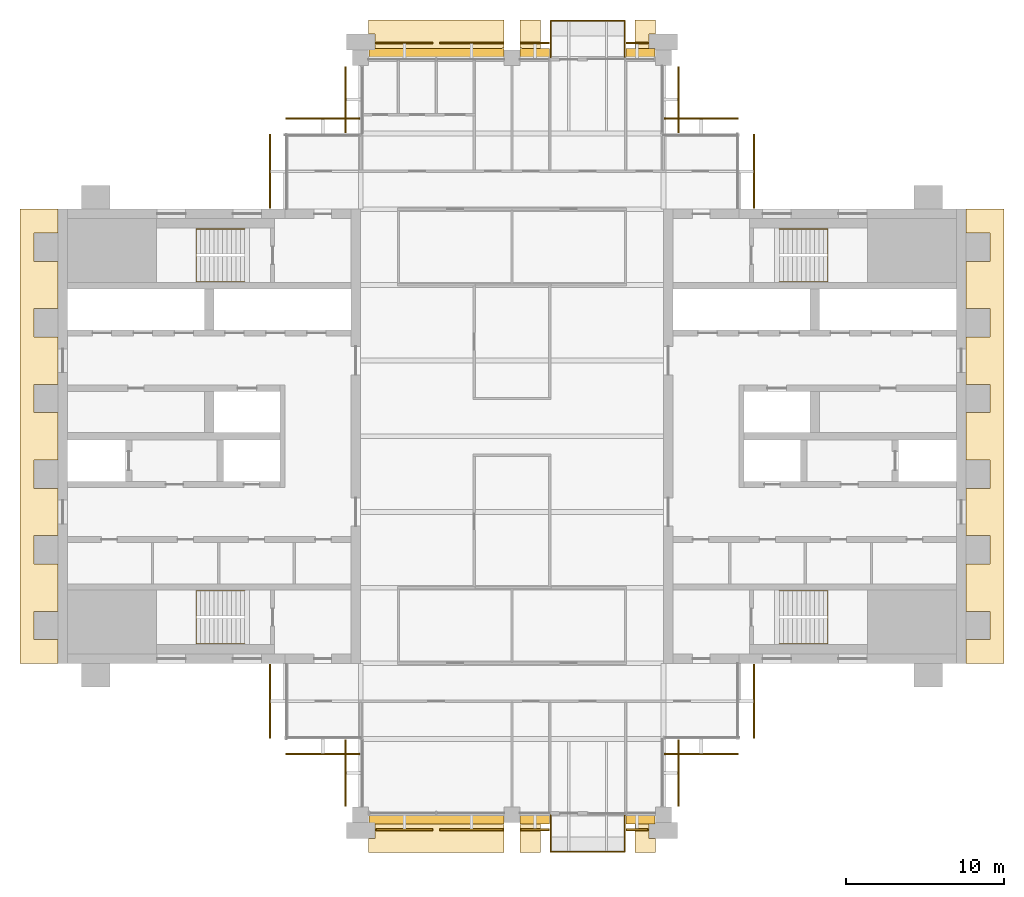
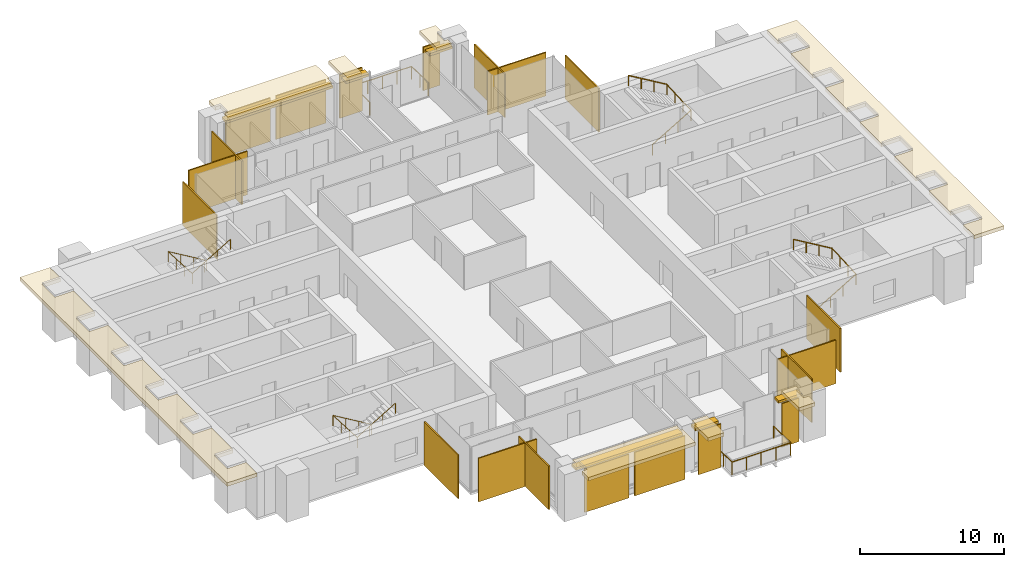
# One storey, part 13 of 13: 28 coverings, 6 railings, 6 shading devices.
"""IFC4 building model written with IfcOpenShell, lengths in metres."""

from ifc_helpers import new_model, si_unit, direction, frame, origin, origin_2d, place, context, subcontext, project, spatial, polyline, rectangle, circle, outline, extrude, material, layer, layer_set, type_object, element, save


model = new_model("IFC4")

# Units and contexts
model_context = context("Model", 3, precision=1e-05, world=origin(), true_north=direction((0.0, 1.0)))
body_context = subcontext(model_context, "Body", "Model", "MODEL_VIEW")
ifc_project = project(units=[si_unit("LENGTHUNIT", "METRE"), si_unit("AREAUNIT", "SQUARE_METRE"), si_unit("VOLUMEUNIT", "CUBIC_METRE"), si_unit("PLANEANGLEUNIT", "RADIAN"), si_unit("MASSUNIT", "GRAM", prefix="KILO")], contexts=[model_context])

# Site, building, storey
site_placement = place(None, origin())
site = spatial("IfcSite", under=ifc_project, at=site_placement, CompositionType="ELEMENT")
building_placement = place(site_placement, origin())
building = spatial("IfcBuilding", under=site, at=building_placement, Name="Baori Bourse Tower", CompositionType="ELEMENT")
storey_placement = place(building_placement, frame((0.0, 0.0, 302.300048828125)))
storey = spatial("IfcBuildingStorey", under=building, at=storey_placement, Name="L66", CompositionType="ELEMENT", Elevation=302.300048828125)

# Coverings
ifc_material_1 = material(Name="Pale anodised aluminium", Category="aluminium")
covering_type_1 = type_object("IfcCoveringType", Name="BD1 Pale metal band", PredefinedType="CLADDING", material=ifc_material_1)
covering_1_placement = place(storey_placement, frame((0.0, 0.0, 3.5400390625)))
element("IfcCovering", 1, at=covering_1_placement, inside=storey, type_object=covering_type_1, Name="Pale projecting band L66 1", PredefinedType="CLADDING", context=body_context, shape_type="SweptSolid", body=[
    extrude(outline(polyline([(57.60009765625, 11.10009765625), (57.60009765625, 9.60009765625), (60.0, 9.60009765625), (60.0, 38.39990234375), (57.60009765625, 38.39990234375), (57.60009765625, 36.89990234375), (59.10009765625, 36.89990234375), (59.10009765625, 35.10009765625), (57.60009765625, 35.10009765625), (57.60009765625, 32.10009765625), (59.10009765625, 32.10009765625), (59.10009765625, 30.300048828125), (57.60009765625, 30.300048828125), (57.60009765625, 27.300048828125), (59.10009765625, 27.300048828125), (59.10009765625, 25.5), (57.60009765625, 25.5), (57.60009765625, 22.5), (59.10009765625, 22.5), (59.10009765625, 20.699951171875), (57.60009765625, 20.699951171875), (57.60009765625, 17.699951171875), (59.10009765625, 17.699951171875), (59.10009765625, 15.89990234375), (57.60009765625, 15.89990234375), (57.60009765625, 12.89990234375), (59.10009765625, 12.89990234375), (59.10009765625, 11.10009765625), (57.60009765625, 11.10009765625)])), origin(), (0.0, 0.0, 1.0), 0.2998046875),
])
covering_2_placement = place(storey_placement, frame((0.0, 0.0, 3.5400390625)))
element("IfcCovering", 2, at=covering_2_placement, inside=storey, type_object=covering_type_1, Name="Pale projecting band L66 2", PredefinedType="CLADDING", context=body_context, shape_type="SweptSolid", body=[
    extrude(outline(polyline([(36.60009765625, 48.0), (37.780029296875, 48.0), (37.780029296875, 48.5), (37.5, 48.5), (37.5, 49.5), (37.89990234375, 49.5), (37.89990234375, 50.39990234375), (36.60009765625, 50.39990234375), (36.60009765625, 48.0)])), origin(), (0.0, 0.0, 1.0), 0.2998046875),
])
covering_3_placement = place(storey_placement, frame((0.0, 0.0, 3.5400390625)))
element("IfcCovering", 3, at=covering_3_placement, inside=storey, type_object=covering_type_1, Name="Pale projecting band L66 3", PredefinedType="CLADDING", context=body_context, shape_type="SweptSolid", body=[
    extrude(outline(polyline([(29.419921875, 48.0), (30.60009765625, 48.0), (30.60009765625, 50.39990234375), (29.300048828125, 50.39990234375), (29.300048828125, 48.6201171875), (29.419921875, 48.6201171875), (29.419921875, 48.0)])), origin(), (0.0, 0.0, 1.0), 0.2998046875),
])
covering_4_placement = place(storey_placement, frame((0.0, 0.0, 3.5400390625)))
element("IfcCovering", 4, at=covering_4_placement, inside=storey, type_object=covering_type_1, Name="Pale projecting band L66 4", PredefinedType="CLADDING", context=body_context, shape_type="SweptSolid", body=[
    extrude(outline(polyline([(19.820068359375, 48.0), (28.179931640625, 48.0), (28.179931640625, 48.6201171875), (28.300048828125, 48.6201171875), (28.300048828125, 50.39990234375), (19.699951171875, 50.39990234375), (19.699951171875, 49.5), (20.10009765625, 49.5), (20.10009765625, 48.5), (19.820068359375, 48.5), (19.820068359375, 48.0)])), origin(), (0.0, 0.0, 1.0), 0.2998046875),
])
covering_5_placement = place(storey_placement, frame((0.0, 0.0, 3.5400390625)))
element("IfcCovering", 5, at=covering_5_placement, inside=storey, type_object=covering_type_1, Name="Pale projecting band L66 5", PredefinedType="CLADDING", context=body_context, shape_type="SweptSolid", body=[
    extrude(outline(polyline([(0.0, 36.89990234375), (0.0, 38.39990234375), (-2.39990234375, 38.39990234375), (-2.39990234375, 9.60009765625), (0.0, 9.60009765625), (0.0, 11.10009765625), (-1.5, 11.10009765625), (-1.5, 12.89990234375), (0.0, 12.89990234375), (0.0, 15.89990234375), (-1.5, 15.89990234375), (-1.5, 17.699951171875), (0.0, 17.699951171875), (0.0, 20.699951171875), (-1.5, 20.699951171875), (-1.5, 22.5), (0.0, 22.5), (0.0, 25.5), (-1.5, 25.5), (-1.5, 27.300048828125), (0.0, 27.300048828125), (0.0, 30.300048828125), (-1.5, 30.300048828125), (-1.5, 32.10009765625), (0.0, 32.10009765625), (0.0, 35.10009765625), (-1.5, 35.10009765625), (-1.5, 36.89990234375), (0.0, 36.89990234375)])), origin(), (0.0, 0.0, 1.0), 0.2998046875),
])
covering_6_placement = place(storey_placement, frame((0.0, 0.0, 3.5400390625)))
element("IfcCovering", 6, at=covering_6_placement, inside=storey, type_object=covering_type_1, Name="Pale projecting band L66 6", PredefinedType="CLADDING", context=body_context, shape_type="SweptSolid", body=[
    extrude(outline(polyline([(28.179931640625, 0.0), (19.820068359375, 0.0), (19.820068359375, -0.5), (20.10009765625, -0.5), (20.10009765625, -1.5), (19.699951171875, -1.5), (19.699951171875, -2.39990234375), (28.300048828125, -2.39990234375), (28.300048828125, -0.6201171875), (28.179931640625, -0.6201171875), (28.179931640625, 0.0)])), origin(), (0.0, 0.0, 1.0), 0.2998046875),
])
covering_7_placement = place(storey_placement, frame((0.0, 0.0, 3.5400390625)))
element("IfcCovering", 7, at=covering_7_placement, inside=storey, type_object=covering_type_1, Name="Pale projecting band L66 7", PredefinedType="CLADDING", context=body_context, shape_type="SweptSolid", body=[
    extrude(outline(polyline([(30.60009765625, 0.0), (29.419921875, 0.0), (29.419921875, -0.6201171875), (29.300048828125, -0.6201171875), (29.300048828125, -2.39990234375), (30.60009765625, -2.39990234375), (30.60009765625, 0.0)])), origin(), (0.0, 0.0, 1.0), 0.2998046875),
])
covering_8_placement = place(storey_placement, frame((0.0, 0.0, 3.5400390625)))
element("IfcCovering", 8, at=covering_8_placement, inside=storey, type_object=covering_type_1, Name="Pale projecting band L66 8", PredefinedType="CLADDING", context=body_context, shape_type="SweptSolid", body=[
    extrude(outline(polyline([(37.780029296875, 0.0), (36.60009765625, 0.0), (36.60009765625, -2.39990234375), (37.89990234375, -2.39990234375), (37.89990234375, -1.5), (37.5, -1.5), (37.5, -0.5), (37.780029296875, -0.5), (37.780029296875, 0.0)])), origin(), (0.0, 0.0, 1.0), 0.2998046875),
])

# Shading devices
ifc_material_2 = material(Name="Concrete f'c 40 MPa", Category="concrete")
ifc_layer_1 = layer(ifc_material_2, 0.199951171875)
ifc_layer_set_1 = layer_set([ifc_layer_1], Name="BS1 Brise-soleil ledge")
shading_device_type = type_object("IfcShadingDeviceType", Name="BS1 Brise-soleil ledge", PredefinedType="USERDEFINED", material=ifc_layer_set_1)
for number, where, z_axis, x_axis, name in (
    (9, (36.949951171875, 48.300048828125, 3.33984375), (0.0, 0.0, 1.0), (-1.0, 0.0, 0.0), "Brise-soleil ledge L66 1"),
    (10, (30.25, 48.300048828125, 3.33984375), (0.0, 0.0, 1.0), (-1.0, 0.0, 0.0), "Brise-soleil ledge L66 2"),
):
    element("IfcShadingDevice", number, at=place(storey_placement, frame(where, z_axis=z_axis, x_axis=x_axis)), inside=storey, type_object=shading_device_type, Name=name, ObjectType="BRISE SOLEIL", PredefinedType="USERDEFINED", context=body_context, shape_type="SweptSolid", body=[
        extrude(rectangle(XDim=1.860107421875, YDim=0.60009765625, at=origin_2d()), origin(), (0.0, 0.0, 1.0), 0.199951171875),
    ])
for number, where, z_axis, x_axis, name in (
    (11, (24.0, 48.300048828125, 3.33984375), (0.0, 0.0, 1.0), (-1.0, 0.0, 0.0), "Brise-soleil ledge L66 3"),
    (12, (24.0, -0.300048828125, 3.33984375), (0.0, 0.0, 1.0), (1.0, 0.0, 0.0), "Brise-soleil ledge L66 4"),
):
    element("IfcShadingDevice", number, at=place(storey_placement, frame(where, z_axis=z_axis, x_axis=x_axis)), inside=storey, type_object=shading_device_type, Name=name, ObjectType="BRISE SOLEIL", PredefinedType="USERDEFINED", context=body_context, shape_type="SweptSolid", body=[
        extrude(rectangle(XDim=8.56005859375, YDim=0.60009765625, at=origin_2d()), origin(), (0.0, 0.0, 1.0), 0.199951171875),
    ])
for number, where, z_axis, x_axis, name in (
    (13, (30.25, -0.300048828125, 3.33984375), (0.0, 0.0, 1.0), (1.0, 0.0, 0.0), "Brise-soleil ledge L66 5"),
    (14, (36.949951171875, -0.300048828125, 3.33984375), (0.0, 0.0, 1.0), (1.0, 0.0, 0.0), "Brise-soleil ledge L66 6"),
):
    element("IfcShadingDevice", number, at=place(storey_placement, frame(where, z_axis=z_axis, x_axis=x_axis)), inside=storey, type_object=shading_device_type, Name=name, ObjectType="BRISE SOLEIL", PredefinedType="USERDEFINED", context=body_context, shape_type="SweptSolid", body=[
        extrude(rectangle(XDim=1.860107421875, YDim=0.60009765625, at=origin_2d()), origin(), (0.0, 0.0, 1.0), 0.199951171875),
    ])

# Railings
ifc_material_3 = material(Name="Powder-coated steel balustrade", Category="steel")
railing_type_1 = type_object("IfcRailingType", Name="Core stair handrail", PredefinedType="HANDRAIL", material=ifc_material_3)
railing_1_placement = place(storey_placement, frame((11.85009765625, 14.199951171875, 0.16650390625)))
element("IfcRailing", 15, at=railing_1_placement, inside=storey, type_object=railing_type_1, Name="L66 ST1 stair handrail 1", PredefinedType="HANDRAIL", context=body_context, shape_type="SweptSolid", body=[
    extrude(circle(Radius=0.02392578125, at=origin_2d()), frame((0.0, 0.0, 0.8759765625), z_axis=(-0.85927862911, 0.0, 0.511507807912), x_axis=(0.0, -1.0, 0.0)), (0.0, 0.0, 1.0), 3.58447265625),
    extrude(circle(Radius=0.02392578125, at=origin_2d()), frame((-3.080078125, 0.0, 2.70947265625), z_axis=(0.0, -0.998766999029, 0.049643545903), x_axis=(1.0, 0.0, 0.0)), (0.0, 0.0, 1.0), 3.35400390625),
    extrude(circle(Radius=0.02392578125, at=origin_2d()), frame((-3.080078125, -3.349853515625, 2.8759765625), z_axis=(0.85927862911, 0.0, 0.511507807912), x_axis=(0.0, 1.0, 0.0)), (0.0, 0.0, 1.0), 3.58447265625),
    extrude(circle(Radius=0.02099609375, at=origin_2d()), origin(), (0.0, 0.0, 1.0), 0.851806640625),
    extrude(circle(Radius=0.02099609375, at=origin_2d()), frame((-1.026611328125, 0.0, 0.611083984375)), (0.0, 0.0, 1.0), 0.851806640625),
    extrude(circle(Radius=0.02099609375, at=origin_2d()), frame((-2.053466796875, 0.0, 1.222412109375)), (0.0, 0.0, 1.0), 0.851806640625),
    extrude(circle(Radius=0.02099609375, at=origin_2d()), frame((-3.080078125, 0.0, 1.83349609375)), (0.0, 0.0, 1.0), 0.851806640625),
    extrude(circle(Radius=0.02099609375, at=origin_2d()), frame((-3.080078125, -1.11669921875, 1.888916015625)), (0.0, 0.0, 1.0), 0.851806640625),
    extrude(circle(Radius=0.02099609375, at=origin_2d()), frame((-3.080078125, -2.233154296875, 1.944580078125)), (0.0, 0.0, 1.0), 0.851806640625),
    extrude(circle(Radius=0.02099609375, at=origin_2d()), frame((-3.080078125, -3.349853515625, 2.0)), (0.0, 0.0, 1.0), 0.851806640625),
    extrude(circle(Radius=0.02099609375, at=origin_2d()), frame((-2.053466796875, -3.349853515625, 2.611083984375)), (0.0, 0.0, 1.0), 0.851806640625),
    extrude(circle(Radius=0.02099609375, at=origin_2d()), frame((-1.026611328125, -3.349853515625, 3.222412109375)), (0.0, 0.0, 1.0), 0.851806640625),
    extrude(circle(Radius=0.02099609375, at=origin_2d()), frame((0.0, -3.349853515625, 3.83349609375)), (0.0, 0.0, 1.0), 0.851806640625),
])
railing_2_placement = place(storey_placement, frame((11.85009765625, 37.14990234375, 0.16650390625)))
element("IfcRailing", 16, at=railing_2_placement, inside=storey, type_object=railing_type_1, Name="L66 ST2 stair handrail 1", PredefinedType="HANDRAIL", context=body_context, shape_type="SweptSolid", body=[
    extrude(circle(Radius=0.02392578125, at=origin_2d()), frame((0.0, 0.0, 0.8759765625), z_axis=(-0.85927862911, 0.0, 0.511507807912), x_axis=(0.0, -1.0, 0.0)), (0.0, 0.0, 1.0), 3.58447265625),
    extrude(circle(Radius=0.02392578125, at=origin_2d()), frame((-3.080078125, 0.0, 2.70947265625), z_axis=(0.0, -0.998766999029, 0.049643545903), x_axis=(1.0, 0.0, 0.0)), (0.0, 0.0, 1.0), 3.35400390625),
    extrude(circle(Radius=0.02392578125, at=origin_2d()), frame((-3.080078125, -3.349853515625, 2.8759765625), z_axis=(0.85927862911, 0.0, 0.511507807912), x_axis=(0.0, 1.0, 0.0)), (0.0, 0.0, 1.0), 3.58447265625),
    extrude(circle(Radius=0.02099609375, at=origin_2d()), origin(), (0.0, 0.0, 1.0), 0.851806640625),
    extrude(circle(Radius=0.02099609375, at=origin_2d()), frame((-1.026611328125, 0.0, 0.611083984375)), (0.0, 0.0, 1.0), 0.851806640625),
    extrude(circle(Radius=0.02099609375, at=origin_2d()), frame((-2.053466796875, 0.0, 1.222412109375)), (0.0, 0.0, 1.0), 0.851806640625),
    extrude(circle(Radius=0.02099609375, at=origin_2d()), frame((-3.080078125, 0.0, 1.83349609375)), (0.0, 0.0, 1.0), 0.851806640625),
    extrude(circle(Radius=0.02099609375, at=origin_2d()), frame((-3.080078125, -1.11669921875, 1.888916015625)), (0.0, 0.0, 1.0), 0.851806640625),
    extrude(circle(Radius=0.02099609375, at=origin_2d()), frame((-3.080078125, -2.233154296875, 1.944580078125)), (0.0, 0.0, 1.0), 0.851806640625),
    extrude(circle(Radius=0.02099609375, at=origin_2d()), frame((-3.080078125, -3.349853515625, 2.0)), (0.0, 0.0, 1.0), 0.851806640625),
    extrude(circle(Radius=0.02099609375, at=origin_2d()), frame((-2.053466796875, -3.349853515625, 2.611083984375)), (0.0, 0.0, 1.0), 0.851806640625),
    extrude(circle(Radius=0.02099609375, at=origin_2d()), frame((-1.026611328125, -3.349853515625, 3.222412109375)), (0.0, 0.0, 1.0), 0.851806640625),
    extrude(circle(Radius=0.02099609375, at=origin_2d()), frame((0.0, -3.349853515625, 3.83349609375)), (0.0, 0.0, 1.0), 0.851806640625),
])
railing_3_placement = place(storey_placement, frame((45.75, 10.85009765625, 0.16650390625)))
element("IfcRailing", 17, at=railing_3_placement, inside=storey, type_object=railing_type_1, Name="L66 ST3 stair handrail 1", PredefinedType="HANDRAIL", context=body_context, shape_type="SweptSolid", body=[
    extrude(circle(Radius=0.02392578125, at=origin_2d()), frame((0.0, 0.0, 0.8759765625), z_axis=(0.85927862911, 0.0, 0.511507807912), x_axis=(0.0, 1.0, 0.0)), (0.0, 0.0, 1.0), 3.58447265625),
    extrude(circle(Radius=0.02392578125, at=origin_2d()), frame((3.080078125, 0.0, 2.70947265625), z_axis=(0.0, 0.998766999029, 0.049643545903), x_axis=(-1.0, 0.0, 0.0)), (0.0, 0.0, 1.0), 3.35400390625),
    extrude(circle(Radius=0.02392578125, at=origin_2d()), frame((3.080078125, 3.349853515625, 2.8759765625), z_axis=(-0.85927862911, 0.0, 0.511507807912), x_axis=(0.0, -1.0, 0.0)), (0.0, 0.0, 1.0), 3.58447265625),
    extrude(circle(Radius=0.02099609375, at=origin_2d()), origin(), (0.0, 0.0, 1.0), 0.851806640625),
    extrude(circle(Radius=0.02099609375, at=origin_2d()), frame((1.026611328125, 0.0, 0.611083984375)), (0.0, 0.0, 1.0), 0.851806640625),
    extrude(circle(Radius=0.02099609375, at=origin_2d()), frame((2.053466796875, 0.0, 1.222412109375)), (0.0, 0.0, 1.0), 0.851806640625),
    extrude(circle(Radius=0.02099609375, at=origin_2d()), frame((3.080078125, 0.0, 1.83349609375)), (0.0, 0.0, 1.0), 0.851806640625),
    extrude(circle(Radius=0.02099609375, at=origin_2d()), frame((3.080078125, 1.11669921875, 1.888916015625)), (0.0, 0.0, 1.0), 0.851806640625),
    extrude(circle(Radius=0.02099609375, at=origin_2d()), frame((3.080078125, 2.233154296875, 1.944580078125)), (0.0, 0.0, 1.0), 0.851806640625),
    extrude(circle(Radius=0.02099609375, at=origin_2d()), frame((3.080078125, 3.349853515625, 2.0)), (0.0, 0.0, 1.0), 0.851806640625),
    extrude(circle(Radius=0.02099609375, at=origin_2d()), frame((2.053466796875, 3.349853515625, 2.611083984375)), (0.0, 0.0, 1.0), 0.851806640625),
    extrude(circle(Radius=0.02099609375, at=origin_2d()), frame((1.026611328125, 3.349853515625, 3.222412109375)), (0.0, 0.0, 1.0), 0.851806640625),
    extrude(circle(Radius=0.02099609375, at=origin_2d()), frame((0.0, 3.349853515625, 3.83349609375)), (0.0, 0.0, 1.0), 0.851806640625),
])
railing_4_placement = place(storey_placement, frame((45.75, 33.800048828125, 0.16650390625)))
element("IfcRailing", 18, at=railing_4_placement, inside=storey, type_object=railing_type_1, Name="L66 ST4 stair handrail 1", PredefinedType="HANDRAIL", context=body_context, shape_type="SweptSolid", body=[
    extrude(circle(Radius=0.02392578125, at=origin_2d()), frame((0.0, 0.0, 0.8759765625), z_axis=(0.85927862911, 0.0, 0.511507807912), x_axis=(0.0, 1.0, 0.0)), (0.0, 0.0, 1.0), 3.58447265625),
    extrude(circle(Radius=0.02392578125, at=origin_2d()), frame((3.080078125, 0.0, 2.70947265625), z_axis=(0.0, 0.998766999029, 0.049643545903), x_axis=(-1.0, 0.0, 0.0)), (0.0, 0.0, 1.0), 3.35400390625),
    extrude(circle(Radius=0.02392578125, at=origin_2d()), frame((3.080078125, 3.349853515625, 2.8759765625), z_axis=(-0.85927862911, 0.0, 0.511507807912), x_axis=(0.0, -1.0, 0.0)), (0.0, 0.0, 1.0), 3.58447265625),
    extrude(circle(Radius=0.02099609375, at=origin_2d()), origin(), (0.0, 0.0, 1.0), 0.851806640625),
    extrude(circle(Radius=0.02099609375, at=origin_2d()), frame((1.026611328125, 0.0, 0.611083984375)), (0.0, 0.0, 1.0), 0.851806640625),
    extrude(circle(Radius=0.02099609375, at=origin_2d()), frame((2.053466796875, 0.0, 1.222412109375)), (0.0, 0.0, 1.0), 0.851806640625),
    extrude(circle(Radius=0.02099609375, at=origin_2d()), frame((3.080078125, 0.0, 1.83349609375)), (0.0, 0.0, 1.0), 0.851806640625),
    extrude(circle(Radius=0.02099609375, at=origin_2d()), frame((3.080078125, 1.11669921875, 1.888916015625)), (0.0, 0.0, 1.0), 0.851806640625),
    extrude(circle(Radius=0.02099609375, at=origin_2d()), frame((3.080078125, 2.233154296875, 1.944580078125)), (0.0, 0.0, 1.0), 0.851806640625),
    extrude(circle(Radius=0.02099609375, at=origin_2d()), frame((3.080078125, 3.349853515625, 2.0)), (0.0, 0.0, 1.0), 0.851806640625),
    extrude(circle(Radius=0.02099609375, at=origin_2d()), frame((2.053466796875, 3.349853515625, 2.611083984375)), (0.0, 0.0, 1.0), 0.851806640625),
    extrude(circle(Radius=0.02099609375, at=origin_2d()), frame((1.026611328125, 3.349853515625, 3.222412109375)), (0.0, 0.0, 1.0), 0.851806640625),
    extrude(circle(Radius=0.02099609375, at=origin_2d()), frame((0.0, 3.349853515625, 3.83349609375)), (0.0, 0.0, 1.0), 0.851806640625),
])
ifc_material_4 = material(Name="Stainless steel", Category="steel")
railing_type_2 = type_object("IfcRailingType", Name="GD1 Guard", PredefinedType="GUARDRAIL", material=ifc_material_4)
railing_5_placement = place(storey_placement, frame((31.25, -0.030029296875, 0.0)))
element("IfcRailing", 19, at=railing_5_placement, inside=storey, type_object=railing_type_2, Name="Guard balcony S L66 1", PredefinedType="GUARDRAIL", context=body_context, shape_type="SweptSolid", body=[
    extrude(circle(Radius=0.02392578125, at=origin_2d()), frame((0.0, 0.0, 1.076171875), z_axis=(0.0, -1.0, 0.0), x_axis=(1.0, 0.0, 0.0)), (0.0, 0.0, 1.0), 2.320068359375),
    extrude(circle(Radius=0.02392578125, at=origin_2d()), frame((0.0, -2.320068359375, 1.076171875), z_axis=(1.0, 0.0, 0.0), x_axis=(0.0, 1.0, 0.0)), (0.0, 0.0, 1.0), 4.699951171875),
    extrude(circle(Radius=0.02392578125, at=origin_2d()), frame((4.699951171875, -2.320068359375, 1.076171875), z_axis=(0.0, 1.0, 0.0), x_axis=(-1.0, 0.0, 0.0)), (0.0, 0.0, 1.0), 2.320068359375),
    extrude(circle(Radius=0.02099609375, at=origin_2d()), origin(), (0.0, 0.0, 1.0), 1.052001953125),
    extrude(circle(Radius=0.02099609375, at=origin_2d()), frame((0.0, -1.16015625, 0.0)), (0.0, 0.0, 1.0), 1.052001953125),
    extrude(circle(Radius=0.02099609375, at=origin_2d()), frame((0.0, -2.320068359375, 0.0)), (0.0, 0.0, 1.0), 1.052001953125),
    extrude(circle(Radius=0.02099609375, at=origin_2d()), frame((1.175048828125, -2.320068359375, 0.0)), (0.0, 0.0, 1.0), 1.052001953125),
    extrude(circle(Radius=0.02099609375, at=origin_2d()), frame((2.35009765625, -2.320068359375, 0.0)), (0.0, 0.0, 1.0), 1.052001953125),
    extrude(circle(Radius=0.02099609375, at=origin_2d()), frame((3.52490234375, -2.320068359375, 0.0)), (0.0, 0.0, 1.0), 1.052001953125),
    extrude(circle(Radius=0.02099609375, at=origin_2d()), frame((4.699951171875, -2.320068359375, 0.0)), (0.0, 0.0, 1.0), 1.052001953125),
    extrude(circle(Radius=0.02099609375, at=origin_2d()), frame((4.699951171875, -1.16015625, 0.0)), (0.0, 0.0, 1.0), 1.052001953125),
    extrude(circle(Radius=0.02099609375, at=origin_2d()), frame((4.699951171875, 0.0, 0.0)), (0.0, 0.0, 1.0), 1.052001953125),
])
railing_6_placement = place(storey_placement, frame((31.25, 48.030029296875, 0.0)))
element("IfcRailing", 20, at=railing_6_placement, inside=storey, type_object=railing_type_2, Name="Guard balcony N L66 2", PredefinedType="GUARDRAIL", context=body_context, shape_type="SweptSolid", body=[
    extrude(circle(Radius=0.02392578125, at=origin_2d()), frame((0.0, 0.0, 1.076171875), z_axis=(0.0, 1.0, 0.0), x_axis=(-1.0, 0.0, 0.0)), (0.0, 0.0, 1.0), 2.320068359375),
    extrude(circle(Radius=0.02392578125, at=origin_2d()), frame((0.0, 2.320068359375, 1.076171875), z_axis=(1.0, 0.0, 0.0), x_axis=(0.0, 1.0, 0.0)), (0.0, 0.0, 1.0), 4.699951171875),
    extrude(circle(Radius=0.02392578125, at=origin_2d()), frame((4.699951171875, 2.320068359375, 1.076171875), z_axis=(0.0, -1.0, 0.0), x_axis=(1.0, 0.0, 0.0)), (0.0, 0.0, 1.0), 2.320068359375),
    extrude(circle(Radius=0.02099609375, at=origin_2d()), origin(), (0.0, 0.0, 1.0), 1.052001953125),
    extrude(circle(Radius=0.02099609375, at=origin_2d()), frame((0.0, 1.16015625, 0.0)), (0.0, 0.0, 1.0), 1.052001953125),
    extrude(circle(Radius=0.02099609375, at=origin_2d()), frame((0.0, 2.320068359375, 0.0)), (0.0, 0.0, 1.0), 1.052001953125),
    extrude(circle(Radius=0.02099609375, at=origin_2d()), frame((1.175048828125, 2.320068359375, 0.0)), (0.0, 0.0, 1.0), 1.052001953125),
    extrude(circle(Radius=0.02099609375, at=origin_2d()), frame((2.35009765625, 2.320068359375, 0.0)), (0.0, 0.0, 1.0), 1.052001953125),
    extrude(circle(Radius=0.02099609375, at=origin_2d()), frame((3.52490234375, 2.320068359375, 0.0)), (0.0, 0.0, 1.0), 1.052001953125),
    extrude(circle(Radius=0.02099609375, at=origin_2d()), frame((4.699951171875, 2.320068359375, 0.0)), (0.0, 0.0, 1.0), 1.052001953125),
    extrude(circle(Radius=0.02099609375, at=origin_2d()), frame((4.699951171875, 1.16015625, 0.0)), (0.0, 0.0, 1.0), 1.052001953125),
    extrude(circle(Radius=0.02099609375, at=origin_2d()), frame((4.699951171875, 0.0, 0.0)), (0.0, 0.0, 1.0), 1.052001953125),
])

# Coverings
ifc_material_5 = material(Name="Pale anodised aluminium", Category="aluminium")
ifc_layer_2 = layer(ifc_material_5, 0.10009765625)
ifc_layer_set_2 = layer_set([ifc_layer_2], Name="OS3 Outer skin screen panel")
covering_type_2 = type_object("IfcCoveringType", Name="OS3 Outer skin screen panel", PredefinedType="CLADDING", material=ifc_layer_set_2)
covering_9_placement = place(storey_placement, frame((0.0, 0.0, -0.16015625)))
element("IfcCovering", 21, at=covering_9_placement, inside=storey, type_object=covering_type_2, Name="Outer skin screen L66 1", PredefinedType="CLADDING", context=body_context, shape_type="SweptSolid", body=[
    extrude(outline(polyline([(44.10009765625, 43.14990234375), (44.10009765625, 38.449951171875), (44.199951171875, 38.449951171875), (44.199951171875, 43.14990234375), (44.10009765625, 43.14990234375)])), origin(), (0.0, 0.0, 1.0), 3.7001953125),
])
covering_10_placement = place(storey_placement, frame((0.0, 0.0, -0.16015625)))
element("IfcCovering", 22, at=covering_10_placement, inside=storey, type_object=covering_type_2, Name="Outer skin screen L66 2", PredefinedType="CLADDING", context=body_context, shape_type="SweptSolid", body=[
    extrude(outline(polyline([(38.449951171875, 44.10009765625), (43.14990234375, 44.10009765625), (43.14990234375, 44.199951171875), (38.449951171875, 44.199951171875), (38.449951171875, 44.10009765625)])), origin(), (0.0, 0.0, 1.0), 3.7001953125),
])
covering_11_placement = place(storey_placement, frame((0.0, 0.0, -0.16015625)))
element("IfcCovering", 23, at=covering_11_placement, inside=storey, type_object=covering_type_2, Name="Outer skin screen L66 3", PredefinedType="CLADDING", context=body_context, shape_type="SweptSolid", body=[
    extrude(outline(polyline([(39.300048828125, 47.449951171875), (39.300048828125, 43.25), (39.39990234375, 43.25), (39.39990234375, 47.449951171875), (39.300048828125, 47.449951171875)])), origin(), (0.0, 0.0, 1.0), 3.7001953125),
])
covering_12_placement = place(storey_placement, frame((0.0, 0.0, -0.16015625)))
element("IfcCovering", 24, at=covering_12_placement, inside=storey, type_object=covering_type_2, Name="Outer skin screen L66 4", PredefinedType="CLADDING", context=body_context, shape_type="SweptSolid", body=[
    extrude(outline(polyline([(36.050048828125, 48.89990234375), (37.39990234375, 48.89990234375), (37.39990234375, 49.0), (36.050048828125, 49.0), (36.050048828125, 48.89990234375)])), origin(), (0.0, 0.0, 1.0), 3.7001953125),
])
covering_13_placement = place(storey_placement, frame((0.0, 0.0, -0.16015625)))
element("IfcCovering", 25, at=covering_13_placement, inside=storey, type_object=covering_type_2, Name="Outer skin screen L66 5", PredefinedType="CLADDING", context=body_context, shape_type="SweptSolid", body=[
    extrude(outline(polyline([(29.35009765625, 48.89990234375), (31.14990234375, 48.89990234375), (31.14990234375, 49.0), (29.35009765625, 49.0), (29.35009765625, 48.89990234375)])), origin(), (0.0, 0.0, 1.0), 3.7001953125),
])
covering_14_placement = place(storey_placement, frame((0.0, 0.0, -0.16015625)))
element("IfcCovering", 26, at=covering_14_placement, inside=storey, type_object=covering_type_2, Name="Outer skin screen L66 6", PredefinedType="CLADDING", context=body_context, shape_type="SweptSolid", body=[
    extrude(outline(polyline([(24.22509765625, 48.89990234375), (28.25, 48.89990234375), (28.25, 49.0), (24.22509765625, 49.0), (24.22509765625, 48.89990234375)])), origin(), (0.0, 0.0, 1.0), 3.7001953125),
])
covering_15_placement = place(storey_placement, frame((0.0, 0.0, -0.16015625)))
element("IfcCovering", 27, at=covering_15_placement, inside=storey, type_object=covering_type_2, Name="Outer skin screen L66 7", PredefinedType="CLADDING", context=body_context, shape_type="SweptSolid", body=[
    extrude(outline(polyline([(20.199951171875, 48.89990234375), (23.77490234375, 48.89990234375), (23.77490234375, 49.0), (20.199951171875, 49.0), (20.199951171875, 48.89990234375)])), origin(), (0.0, 0.0, 1.0), 3.7001953125),
])
covering_16_placement = place(storey_placement, frame((0.0, 0.0, -0.16015625)))
element("IfcCovering", 28, at=covering_16_placement, inside=storey, type_object=covering_type_2, Name="Outer skin screen L66 8", PredefinedType="CLADDING", context=body_context, shape_type="SweptSolid", body=[
    extrude(outline(polyline([(18.300048828125, 43.25), (18.300048828125, 47.449951171875), (18.199951171875, 47.449951171875), (18.199951171875, 43.25), (18.300048828125, 43.25)])), origin(), (0.0, 0.0, 1.0), 3.7001953125),
])
covering_17_placement = place(storey_placement, frame((0.0, 0.0, -0.16015625)))
element("IfcCovering", 29, at=covering_17_placement, inside=storey, type_object=covering_type_2, Name="Outer skin screen L66 9", PredefinedType="CLADDING", context=body_context, shape_type="SweptSolid", body=[
    extrude(outline(polyline([(14.449951171875, 44.10009765625), (19.14990234375, 44.10009765625), (19.14990234375, 44.199951171875), (14.449951171875, 44.199951171875), (14.449951171875, 44.10009765625)])), origin(), (0.0, 0.0, 1.0), 3.7001953125),
])
covering_18_placement = place(storey_placement, frame((0.0, 0.0, -0.16015625)))
element("IfcCovering", 30, at=covering_18_placement, inside=storey, type_object=covering_type_2, Name="Outer skin screen L66 10", PredefinedType="CLADDING", context=body_context, shape_type="SweptSolid", body=[
    extrude(outline(polyline([(13.5, 38.449951171875), (13.5, 43.14990234375), (13.39990234375, 43.14990234375), (13.39990234375, 38.449951171875), (13.5, 38.449951171875)])), origin(), (0.0, 0.0, 1.0), 3.7001953125),
])
covering_19_placement = place(storey_placement, frame((0.0, 0.0, -0.16015625)))
element("IfcCovering", 31, at=covering_19_placement, inside=storey, type_object=covering_type_2, Name="Outer skin screen L66 11", PredefinedType="CLADDING", context=body_context, shape_type="SweptSolid", body=[
    extrude(outline(polyline([(13.5, 4.85009765625), (13.5, 9.550048828125), (13.39990234375, 9.550048828125), (13.39990234375, 4.85009765625), (13.5, 4.85009765625)])), origin(), (0.0, 0.0, 1.0), 3.7001953125),
])
covering_20_placement = place(storey_placement, frame((0.0, 0.0, -0.16015625)))
element("IfcCovering", 32, at=covering_20_placement, inside=storey, type_object=covering_type_2, Name="Outer skin screen L66 12", PredefinedType="CLADDING", context=body_context, shape_type="SweptSolid", body=[
    extrude(outline(polyline([(19.14990234375, 3.89990234375), (14.449951171875, 3.89990234375), (14.449951171875, 3.800048828125), (19.14990234375, 3.800048828125), (19.14990234375, 3.89990234375)])), origin(), (0.0, 0.0, 1.0), 3.7001953125),
])
covering_21_placement = place(storey_placement, frame((0.0, 0.0, -0.16015625)))
element("IfcCovering", 33, at=covering_21_placement, inside=storey, type_object=covering_type_2, Name="Outer skin screen L66 13", PredefinedType="CLADDING", context=body_context, shape_type="SweptSolid", body=[
    extrude(outline(polyline([(18.300048828125, 0.550048828125), (18.300048828125, 4.75), (18.199951171875, 4.75), (18.199951171875, 0.550048828125), (18.300048828125, 0.550048828125)])), origin(), (0.0, 0.0, 1.0), 3.7001953125),
])
covering_22_placement = place(storey_placement, frame((0.0, 0.0, -0.16015625)))
element("IfcCovering", 34, at=covering_22_placement, inside=storey, type_object=covering_type_2, Name="Outer skin screen L66 14", PredefinedType="CLADDING", context=body_context, shape_type="SweptSolid", body=[
    extrude(outline(polyline([(23.77490234375, -0.89990234375), (20.199951171875, -0.89990234375), (20.199951171875, -1.0), (23.77490234375, -1.0), (23.77490234375, -0.89990234375)])), origin(), (0.0, 0.0, 1.0), 3.7001953125),
])
covering_23_placement = place(storey_placement, frame((0.0, 0.0, -0.16015625)))
element("IfcCovering", 35, at=covering_23_placement, inside=storey, type_object=covering_type_2, Name="Outer skin screen L66 15", PredefinedType="CLADDING", context=body_context, shape_type="SweptSolid", body=[
    extrude(outline(polyline([(28.25, -0.89990234375), (24.22509765625, -0.89990234375), (24.22509765625, -1.0), (28.25, -1.0), (28.25, -0.89990234375)])), origin(), (0.0, 0.0, 1.0), 3.7001953125),
])
covering_24_placement = place(storey_placement, frame((0.0, 0.0, -0.16015625)))
element("IfcCovering", 36, at=covering_24_placement, inside=storey, type_object=covering_type_2, Name="Outer skin screen L66 16", PredefinedType="CLADDING", context=body_context, shape_type="SweptSolid", body=[
    extrude(outline(polyline([(31.14990234375, -0.89990234375), (29.35009765625, -0.89990234375), (29.35009765625, -1.0), (31.14990234375, -1.0), (31.14990234375, -0.89990234375)])), origin(), (0.0, 0.0, 1.0), 3.7001953125),
])
covering_25_placement = place(storey_placement, frame((0.0, 0.0, -0.16015625)))
element("IfcCovering", 37, at=covering_25_placement, inside=storey, type_object=covering_type_2, Name="Outer skin screen L66 17", PredefinedType="CLADDING", context=body_context, shape_type="SweptSolid", body=[
    extrude(outline(polyline([(37.39990234375, -0.89990234375), (36.050048828125, -0.89990234375), (36.050048828125, -1.0), (37.39990234375, -1.0), (37.39990234375, -0.89990234375)])), origin(), (0.0, 0.0, 1.0), 3.7001953125),
])
covering_26_placement = place(storey_placement, frame((0.0, 0.0, -0.16015625)))
element("IfcCovering", 38, at=covering_26_placement, inside=storey, type_object=covering_type_2, Name="Outer skin screen L66 18", PredefinedType="CLADDING", context=body_context, shape_type="SweptSolid", body=[
    extrude(outline(polyline([(39.300048828125, 4.75), (39.300048828125, 0.550048828125), (39.39990234375, 0.550048828125), (39.39990234375, 4.75), (39.300048828125, 4.75)])), origin(), (0.0, 0.0, 1.0), 3.7001953125),
])
covering_27_placement = place(storey_placement, frame((0.0, 0.0, -0.16015625)))
element("IfcCovering", 39, at=covering_27_placement, inside=storey, type_object=covering_type_2, Name="Outer skin screen L66 19", PredefinedType="CLADDING", context=body_context, shape_type="SweptSolid", body=[
    extrude(outline(polyline([(43.14990234375, 3.89990234375), (38.449951171875, 3.89990234375), (38.449951171875, 3.800048828125), (43.14990234375, 3.800048828125), (43.14990234375, 3.89990234375)])), origin(), (0.0, 0.0, 1.0), 3.7001953125),
])
covering_28_placement = place(storey_placement, frame((0.0, 0.0, -0.16015625)))
element("IfcCovering", 40, at=covering_28_placement, inside=storey, type_object=covering_type_2, Name="Outer skin screen L66 20", PredefinedType="CLADDING", context=body_context, shape_type="SweptSolid", body=[
    extrude(outline(polyline([(44.10009765625, 9.550048828125), (44.10009765625, 4.85009765625), (44.199951171875, 4.85009765625), (44.199951171875, 9.550048828125), (44.10009765625, 9.550048828125)])), origin(), (0.0, 0.0, 1.0), 3.7001953125),
])

save(model, "model.ifc")
